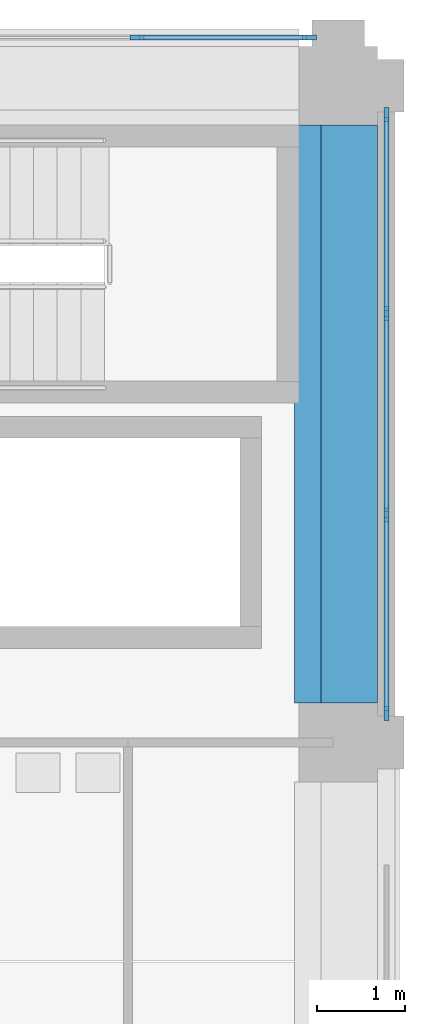
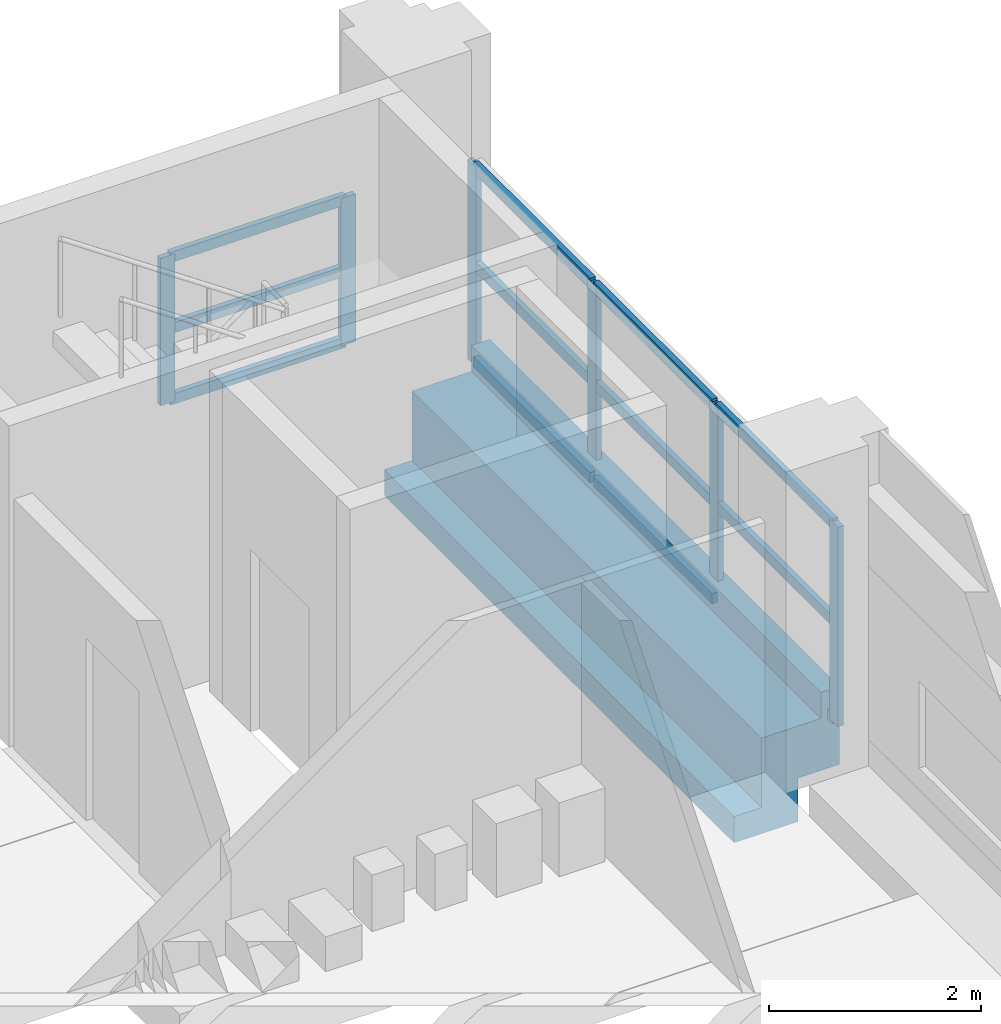
# One storey, part 20 of 57: 18 members, 1 beam, 2 elements without a shape of their own.
"""IFC4 building model written with IfcOpenShell, lengths in metres."""

from ifc_helpers import new_model, si_unit, direction, frame, origin, origin_2d, place, context, subcontext, project, spatial, polyline, rectangle, outline, extrude, material, layer, layer_set, material_profile, profile_set, type_object, element, aggregate, save


model = new_model("IFC4")

# Units and contexts
model_context = context("Model", 3, precision=1e-05, world=origin(), true_north=direction((0.0, 1.0)))
body_context = subcontext(model_context, "Body", "Model", "MODEL_VIEW")
ifc_project = project(units=[si_unit("LENGTHUNIT", "METRE"), si_unit("AREAUNIT", "SQUARE_METRE"), si_unit("VOLUMEUNIT", "CUBIC_METRE"), si_unit("PLANEANGLEUNIT", "RADIAN"), si_unit("MASSUNIT", "GRAM", prefix="KILO")], contexts=[model_context])

# Site, building, storey
site_placement = place(None, origin())
site = spatial("IfcSite", under=ifc_project, at=site_placement, CompositionType="ELEMENT")
building_placement = place(site_placement, origin())
building = spatial("IfcBuilding", under=site, at=building_placement, Name="Cour d'Honneur Mobility Palace", CompositionType="ELEMENT")
storey_placement = place(building_placement, frame((0.0, 0.0, 8.199951171875)))
storey = spatial("IfcBuildingStorey", under=building, at=storey_placement, Name="L02", CompositionType="ELEMENT", Elevation=8.199951171875)

# Curtain wall, members
ifc_material_1 = material(Name="Aluminium and glass", Category="aluminium")
ifc_layer = layer(ifc_material_1, 0.10009765625)
ifc_layer_set = layer_set([ifc_layer], Name="Aluminium and glass")
curtain_wall_type = type_object("IfcCurtainWallType", Name="Curtain wall run", PredefinedType="NOTDEFINED", material=ifc_layer_set)
curtain_wall_1_placement = place(storey_placement, origin())
curtain_wall_1 = element("IfcCurtainWall", 1, at=curtain_wall_1_placement, inside=storey, type_object=curtain_wall_type, Name="Curtain wall CW-115", PredefinedType="NOTDEFINED")
ifc_material_2 = material(Name="Aluminium", Category="aluminium")
ifc_material_profile_1 = material_profile(ifc_material_2, rectangle(XDim=0.06005859375, YDim=0.159912109375, at=origin_2d()), Name="Curtain wall mullion")
ifc_profile_set_1 = profile_set([ifc_material_profile_1], Name="Aluminium")
member_type_1 = type_object("IfcMemberType", Name="Curtain wall mullion", PredefinedType="MULLION", material=ifc_profile_set_1)
member_1_placement = place(storey_placement, frame((162.85009765625, 107.72998046875, 0.0), z_axis=(0.0, 0.0, 1.0), x_axis=(-1.0, 0.0, 0.0)))
member_1 = element("IfcMember", 2, at=member_1_placement, type_object=member_type_1, Name="CW-115 mullion 1", PredefinedType="MULLION", context=body_context, shape_type="SweptSolid", body=[
    extrude(rectangle(XDim=0.06005859375, YDim=0.159912109375, at=origin_2d()), origin(), (0.0, 0.0, 1.0), 2.300048828125),
])
member_2_placement = place(storey_placement, frame((162.85009765625, 110.0, 0.0), z_axis=(0.0, 0.0, 1.0), x_axis=(-1.0, 0.0, 0.0)))
member_2 = element("IfcMember", 3, at=member_2_placement, type_object=member_type_1, Name="CW-115 mullion 2", PredefinedType="MULLION", context=body_context, shape_type="SweptSolid", body=[
    extrude(rectangle(XDim=0.06005859375, YDim=0.159912109375, at=origin_2d()), origin(), (0.0, 0.0, 1.0), 2.300048828125),
])
member_3_placement = place(storey_placement, frame((162.85009765625, 112.300048828125, 0.0), z_axis=(0.0, 0.0, 1.0), x_axis=(-1.0, 0.0, 0.0)))
member_3 = element("IfcMember", 4, at=member_3_placement, type_object=member_type_1, Name="CW-115 mullion 3", PredefinedType="MULLION", context=body_context, shape_type="SweptSolid", body=[
    extrude(rectangle(XDim=0.06005859375, YDim=0.159912109375, at=origin_2d()), origin(), (0.0, 0.0, 1.0), 2.300048828125),
])
member_4_placement = place(storey_placement, frame((162.85009765625, 114.570068359375, 0.0), z_axis=(0.0, 0.0, 1.0), x_axis=(-1.0, 0.0, 0.0)))
member_4 = element("IfcMember", 5, at=member_4_placement, type_object=member_type_1, Name="CW-115 mullion 4", PredefinedType="MULLION", context=body_context, shape_type="SweptSolid", body=[
    extrude(rectangle(XDim=0.06005859375, YDim=0.159912109375, at=origin_2d()), origin(), (0.0, 0.0, 1.0), 2.300048828125),
])

curtain_wall_2_placement = place(storey_placement, origin())
curtain_wall_2 = element("IfcCurtainWall", 6, at=curtain_wall_2_placement, inside=storey, type_object=curtain_wall_type, Name="Curtain wall CW-116", PredefinedType="NOTDEFINED")
member_5_placement = place(storey_placement, frame((161.969970703125, 115.449951171875, 0.0), z_axis=(0.0, 0.0, 1.0), x_axis=(0.0, -1.0, 0.0)))
member_5 = element("IfcMember", 7, at=member_5_placement, type_object=member_type_1, Name="CW-116 mullion 1", PredefinedType="MULLION", context=body_context, shape_type="SweptSolid", body=[
    extrude(rectangle(XDim=0.06005859375, YDim=0.159912109375, at=origin_2d()), origin(), (0.0, 0.0, 1.0), 1.699951171875),
])
member_6_placement = place(storey_placement, frame((160.0, 115.449951171875, 0.0), z_axis=(0.0, 0.0, 1.0), x_axis=(0.0, -1.0, 0.0)))
member_6 = element("IfcMember", 8, at=member_6_placement, type_object=member_type_1, Name="CW-116 mullion 2", PredefinedType="MULLION", context=body_context, shape_type="SweptSolid", body=[
    extrude(rectangle(XDim=0.06005859375, YDim=0.159912109375, at=origin_2d()), origin(), (0.0, 0.0, 1.0), 1.699951171875),
])

# Member
ifc_material_3 = material(Name="Aluminium", Category="aluminium")
ifc_material_profile_2 = material_profile(ifc_material_3, rectangle(XDim=0.06005859375, YDim=0.1201171875, at=origin_2d()), Name="Curtain wall transom")
ifc_profile_set_2 = profile_set([ifc_material_profile_2], Name="Aluminium")
member_type_2 = type_object("IfcMemberType", Name="Curtain wall transom", PredefinedType="USERDEFINED", material=ifc_profile_set_2)
member_7_placement = place(storey_placement, frame((162.85009765625, 107.760009765625, 0.030029296875), z_axis=(0.0, 1.0, 0.0), x_axis=(-1.0, 0.0, 0.0)))
member_7 = element("IfcMember", 9, at=member_7_placement, type_object=member_type_2, Name="CW-115 transom 1.1", ObjectType="TRANSOM", PredefinedType="USERDEFINED", context=body_context, shape_type="SweptSolid", body=[
    extrude(rectangle(XDim=0.06005859375, YDim=0.1201171875, at=origin_2d()), origin(), (0.0, 0.0, 1.0), 2.2099609375),
])

member_8_placement = place(storey_placement, frame((162.85009765625, 107.760009765625, 1.150146484375), z_axis=(0.0, 1.0, 0.0), x_axis=(-1.0, 0.0, 0.0)))
member_8 = element("IfcMember", 10, at=member_8_placement, type_object=member_type_2, Name="CW-115 transom 1.2", ObjectType="TRANSOM", PredefinedType="USERDEFINED", context=body_context, shape_type="SweptSolid", body=[
    extrude(rectangle(XDim=0.06005859375, YDim=0.1201171875, at=origin_2d()), origin(), (0.0, 0.0, 1.0), 2.2099609375),
])

member_9_placement = place(storey_placement, frame((162.85009765625, 107.760009765625, 2.27001953125), z_axis=(0.0, 1.0, 0.0), x_axis=(-1.0, 0.0, 0.0)))
member_9 = element("IfcMember", 11, at=member_9_placement, type_object=member_type_2, Name="CW-115 transom 1.3", ObjectType="TRANSOM", PredefinedType="USERDEFINED", context=body_context, shape_type="SweptSolid", body=[
    extrude(rectangle(XDim=0.06005859375, YDim=0.1201171875, at=origin_2d()), origin(), (0.0, 0.0, 1.0), 2.2099609375),
])

member_10_placement = place(storey_placement, frame((162.85009765625, 110.030029296875, 0.030029296875), z_axis=(0.0, 1.0, 0.0), x_axis=(-1.0, 0.0, 0.0)))
member_10 = element("IfcMember", 12, at=member_10_placement, type_object=member_type_2, Name="CW-115 transom 2.1", ObjectType="TRANSOM", PredefinedType="USERDEFINED", context=body_context, shape_type="SweptSolid", body=[
    extrude(rectangle(XDim=0.06005859375, YDim=0.1201171875, at=origin_2d()), origin(), (0.0, 0.0, 1.0), 2.239990234375),
])

member_11_placement = place(storey_placement, frame((162.85009765625, 110.030029296875, 1.150146484375), z_axis=(0.0, 1.0, 0.0), x_axis=(-1.0, 0.0, 0.0)))
member_11 = element("IfcMember", 13, at=member_11_placement, type_object=member_type_2, Name="CW-115 transom 2.2", ObjectType="TRANSOM", PredefinedType="USERDEFINED", context=body_context, shape_type="SweptSolid", body=[
    extrude(rectangle(XDim=0.06005859375, YDim=0.1201171875, at=origin_2d()), origin(), (0.0, 0.0, 1.0), 2.239990234375),
])

member_12_placement = place(storey_placement, frame((162.85009765625, 110.030029296875, 2.27001953125), z_axis=(0.0, 1.0, 0.0), x_axis=(-1.0, 0.0, 0.0)))
member_12 = element("IfcMember", 14, at=member_12_placement, type_object=member_type_2, Name="CW-115 transom 2.3", ObjectType="TRANSOM", PredefinedType="USERDEFINED", context=body_context, shape_type="SweptSolid", body=[
    extrude(rectangle(XDim=0.06005859375, YDim=0.1201171875, at=origin_2d()), origin(), (0.0, 0.0, 1.0), 2.239990234375),
])

member_13_placement = place(storey_placement, frame((162.85009765625, 112.330078125, 0.030029296875), z_axis=(0.0, 1.0, 0.0), x_axis=(-1.0, 0.0, 0.0)))
member_13 = element("IfcMember", 15, at=member_13_placement, type_object=member_type_2, Name="CW-115 transom 3.1", ObjectType="TRANSOM", PredefinedType="USERDEFINED", context=body_context, shape_type="SweptSolid", body=[
    extrude(rectangle(XDim=0.06005859375, YDim=0.1201171875, at=origin_2d()), origin(), (0.0, 0.0, 1.0), 2.2099609375),
])

member_14_placement = place(storey_placement, frame((162.85009765625, 112.330078125, 1.150146484375), z_axis=(0.0, 1.0, 0.0), x_axis=(-1.0, 0.0, 0.0)))
member_14 = element("IfcMember", 16, at=member_14_placement, type_object=member_type_2, Name="CW-115 transom 3.2", ObjectType="TRANSOM", PredefinedType="USERDEFINED", context=body_context, shape_type="SweptSolid", body=[
    extrude(rectangle(XDim=0.06005859375, YDim=0.1201171875, at=origin_2d()), origin(), (0.0, 0.0, 1.0), 2.2099609375),
])

member_15_placement = place(storey_placement, frame((162.85009765625, 112.330078125, 2.27001953125), z_axis=(0.0, 1.0, 0.0), x_axis=(-1.0, 0.0, 0.0)))
member_15 = element("IfcMember", 17, at=member_15_placement, type_object=member_type_2, Name="CW-115 transom 3.3", ObjectType="TRANSOM", PredefinedType="USERDEFINED", context=body_context, shape_type="SweptSolid", body=[
    extrude(rectangle(XDim=0.06005859375, YDim=0.1201171875, at=origin_2d()), origin(), (0.0, 0.0, 1.0), 2.2099609375),
])

aggregate(curtain_wall_1, [member_1, member_2, member_3, member_4, member_7, member_8, member_9, member_10, member_11, member_12, member_13, member_14, member_15])

member_16_placement = place(storey_placement, frame((161.93994140625, 115.449951171875, 0.030029296875), z_axis=(-1.0, 0.0, 0.0), x_axis=(0.0, -1.0, 0.0)))
member_16 = element("IfcMember", 18, at=member_16_placement, type_object=member_type_2, Name="CW-116 transom 1.1", ObjectType="TRANSOM", PredefinedType="USERDEFINED", context=body_context, shape_type="SweptSolid", body=[
    extrude(rectangle(XDim=0.06005859375, YDim=0.1201171875, at=origin_2d()), origin(), (0.0, 0.0, 1.0), 1.909912109375),
])

member_17_placement = place(storey_placement, frame((161.93994140625, 115.449951171875, 0.85009765625), z_axis=(-1.0, 0.0, 0.0), x_axis=(0.0, -1.0, 0.0)))
member_17 = element("IfcMember", 19, at=member_17_placement, type_object=member_type_2, Name="CW-116 transom 1.2", ObjectType="TRANSOM", PredefinedType="USERDEFINED", context=body_context, shape_type="SweptSolid", body=[
    extrude(rectangle(XDim=0.06005859375, YDim=0.1201171875, at=origin_2d()), origin(), (0.0, 0.0, 1.0), 1.909912109375),
])

member_18_placement = place(storey_placement, frame((161.93994140625, 115.449951171875, 1.670166015625), z_axis=(-1.0, 0.0, 0.0), x_axis=(0.0, -1.0, 0.0)))
member_18 = element("IfcMember", 20, at=member_18_placement, type_object=member_type_2, Name="CW-116 transom 1.3", ObjectType="TRANSOM", PredefinedType="USERDEFINED", context=body_context, shape_type="SweptSolid", body=[
    extrude(rectangle(XDim=0.06005859375, YDim=0.1201171875, at=origin_2d()), origin(), (0.0, 0.0, 1.0), 1.909912109375),
])

aggregate(curtain_wall_2, [member_5, member_6, member_16, member_17, member_18])

# Beam
ifc_material_4 = material(Name="Concrete C45", Category="concrete")
ifc_material_profile_3 = material_profile(ifc_material_4, outline(polyline([(0.5, -1.10009765625), (0.5, -0.800048828125), (0.199951171875, -0.800048828125), (0.199951171875, 0.0), (-0.199951171875, 0.0), (-0.449951171875, 0.0), (-0.449951171875, 0.300048828125), (-0.64990234375, 0.300048828125), (-0.64990234375, -0.60009765625), (-0.199951171875, -0.60009765625), (-0.199951171875, -1.10009765625), (0.5, -1.10009765625)])), Name="Ledger Beam 400x1100 ledge left 300 facade right")
ifc_profile_set_3 = profile_set([ifc_material_profile_3], Name="Concrete C45")
beam_type = type_object("IfcBeamType", Name="Ledger Beam 400x1100 ledge left 300 facade right", PredefinedType="BEAM", material=ifc_profile_set_3)
beam_placement = place(storey_placement, frame((162.300048828125, 107.85009765625, 0.0), z_axis=(0.0, 1.0, 0.0), x_axis=(-1.0, 0.0, 0.0)))
element("IfcBeam", 21, at=beam_placement, inside=storey, type_object=beam_type, Name="Precast beam B3 P-Q L02", PredefinedType="BEAM", context=body_context, shape_type="SweptSolid", body=[
    extrude(outline(polyline([(0.5, -1.10009765625), (0.5, -0.800048828125), (0.199951171875, -0.800048828125), (0.199951171875, 0.0), (-0.199951171875, 0.0), (-0.449951171875, 0.0), (-0.449951171875, 0.300048828125), (-0.64990234375, 0.300048828125), (-0.64990234375, -0.60009765625), (-0.199951171875, -0.60009765625), (-0.199951171875, -1.10009765625), (0.5, -1.10009765625)])), origin(), (0.0, 0.0, 1.0), 6.599853515625),
])

save(model, "model.ifc")
